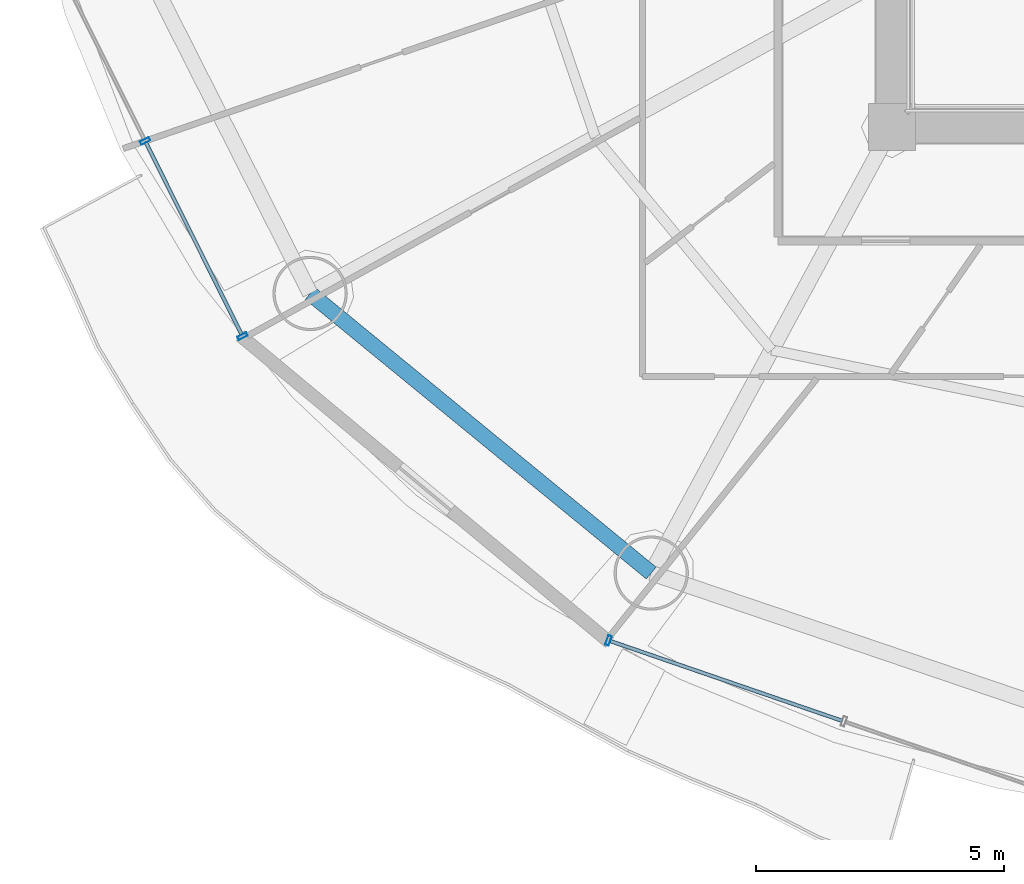
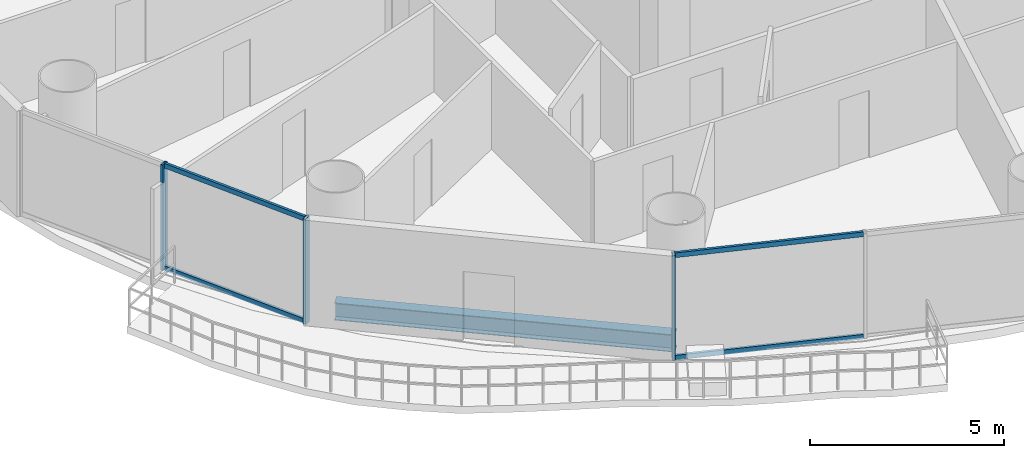
# One storey, part 2 of 29: 7 members, 1 beam, 2 elements without a shape of their own.
"""IFC4 building model written with IfcOpenShell, lengths in metres."""

import ifcopenshell
import ifcopenshell.guid

model = None  # the IFC model being written
_history = None  # IfcOwnerHistory: only IFC2X3 demands one
_inside = {}  # id of a spatial element -> (the spatial element, [elements in it])
_under = {}  # id of a project, library or spatial element -> (it, [spatial elements below it])
_declared = {}  # id of a project -> (the project, [libraries it declares])
_typed = {}  # id of a type object -> (the type object, [elements of that type])
_made_of = {}  # id of a material, layer set ... -> (it, [elements and type objects made of it])


def new_model(schema):
    """Start an empty IFC model of exactly this schema.

    Asked for "IFC4X3", IfcOpenShell would pick the latest addendum, in which some entities
    have other attributes; the version numbers below select the first issue.
    IFC2X3 requires an IfcOwnerHistory on every rooted entity: one is made here for all.
    """
    global model, _history
    if schema == "IFC4X3":
        model = ifcopenshell.file(schema_version=(4, 3, 0, 0))
    else:
        model = ifcopenshell.file(schema=schema)
    _inside.clear()
    _under.clear()
    _declared.clear()
    _typed.clear()
    _made_of.clear()
    _history = None
    if model.schema == "IFC2X3":
        org = make("IfcOrganization", Name="unknown")
        user = make(
            "IfcPersonAndOrganization",
            ThePerson=make("IfcPerson", FamilyName="unknown"),
            TheOrganization=org,
        )
        app = make(
            "IfcApplication",
            ApplicationDeveloper=org,
            Version="unknown",
            ApplicationFullName="unknown",
            ApplicationIdentifier="unknown",
        )
        _history = make(
            "IfcOwnerHistory",
            OwningUser=user,
            OwningApplication=app,
            ChangeAction="ADDED",
            CreationDate=0,
        )
    return model


def make(cls, **values):
    """One entity of the class cls with the attributes given. An attribute that is None is left unset."""
    return model.create_entity(
        cls, **{name: value for name, value in values.items() if value is not None}
    )


def rooted(cls, **values):
    """An entity with a GlobalId (a new one), such as an element, a storey or a relation."""
    return make(cls, GlobalId=ifcopenshell.guid.new(), OwnerHistory=_history, **values)


def si_unit(unit_type, name, prefix=None):
    """IfcSIUnit, for example si_unit("LENGTHUNIT", "METRE", prefix="MILLI")."""
    return make("IfcSIUnit", UnitType=unit_type, Prefix=prefix, Name=name)


def assignment(units):
    """IfcUnitAssignment: the units of a project."""
    return None if units is None else make("IfcUnitAssignment", Units=units)


def point(xyz):
    """IfcCartesianPoint."""
    return None if xyz is None else make("IfcCartesianPoint", Coordinates=xyz)


def direction(xyz):
    """IfcDirection."""
    return None if xyz is None else make("IfcDirection", DirectionRatios=xyz)


def frame(location, z_axis=None, x_axis=None):
    """IfcAxis2Placement3D, a coordinate frame: its origin and axes. An axis left out is left unset."""
    return make(
        "IfcAxis2Placement3D",
        Location=point(location),
        Axis=direction(z_axis),
        RefDirection=direction(x_axis),
    )


def frame_2d(location, x_axis=None):
    """IfcAxis2Placement2D, a coordinate frame in the plane: its origin and x axis."""
    return make(
        "IfcAxis2Placement2D", Location=point(location), RefDirection=direction(x_axis)
    )


def origin():
    """The frame at (0, 0, 0) with its axes left unset."""
    return frame((0.0, 0.0, 0.0))


def origin_2d():
    """The frame at (0, 0) in the plane with its x axis left unset."""
    return frame_2d((0.0, 0.0))


def place(relative_to, where):
    """IfcLocalPlacement: puts the frame where relative to a parent placement (None: the world)."""
    return make(
        "IfcLocalPlacement", PlacementRelTo=relative_to, RelativePlacement=where
    )


def context(
    kind, dimensions, precision=None, world=None, true_north=None, identifier=None
):
    """IfcGeometricRepresentationContext, for example the 3D "Model" context."""
    return make(
        "IfcGeometricRepresentationContext",
        ContextIdentifier=identifier,
        ContextType=kind,
        CoordinateSpaceDimension=dimensions,
        Precision=precision,
        WorldCoordinateSystem=world,
        TrueNorth=true_north,
    )


def subcontext(parent, identifier, kind, view, scale=None):
    """IfcGeometricRepresentationSubContext, for example "Body" below "Model"."""
    return make(
        "IfcGeometricRepresentationSubContext",
        ContextIdentifier=identifier,
        ContextType=kind,
        ParentContext=parent,
        TargetScale=scale,
        TargetView=view,
    )


def project(units=None, contexts=None):
    """IfcProject with its units and contexts."""
    return rooted(
        "IfcProject",
        Name="project",
        RepresentationContexts=contexts,
        UnitsInContext=assignment(units),
    )


def spatial(cls, under=None, at=None, **own):
    """A site, building, storey or space (cls), placed at a placement, below another one or the project."""
    s = rooted(cls, ObjectPlacement=at, **own)
    if under is not None:
        _under.setdefault(under.id(), (under, []))[1].append(s)
    return s


def profile(cls, at=None, kind="AREA", **sizes):
    """A parametric profile (cls). Its sizes go by their IFC names, for example OverallWidth=200.0."""
    return make(cls, ProfileType=kind, Position=at, **sizes)


def hollow_rectangle(**sizes):
    """IfcRectangleHollowProfileDef."""
    return profile("IfcRectangleHollowProfileDef", **sizes)


def i_section(**sizes):
    """IfcIShapeProfileDef."""
    return profile("IfcIShapeProfileDef", **sizes)


def extrude(swept, where, along, depth):
    """IfcExtrudedAreaSolid: the profile swept, set in the frame where, extruded along a direction by depth."""
    return make(
        "IfcExtrudedAreaSolid",
        SweptArea=swept,
        Position=where,
        ExtrudedDirection=direction(along),
        Depth=depth,
    )


def shape(context_of_items, identifier, shape_type, items):
    """IfcShapeRepresentation: the items that make up one representation, for example the "Body"."""
    return make(
        "IfcShapeRepresentation",
        ContextOfItems=context_of_items,
        RepresentationIdentifier=identifier,
        RepresentationType=shape_type,
        Items=items,
    )


def source(mapping_origin, context_of_items, identifier, shape_type, items):
    """IfcRepresentationMap: a shape defined once, which mapped items show again and again."""
    return make(
        "IfcRepresentationMap",
        MappingOrigin=mapping_origin,
        MappedRepresentation=shape(context_of_items, identifier, shape_type, items),
    )


def transform(
    local_origin,
    x_axis=None,
    y_axis=None,
    z_axis=None,
    scale=None,
    scale2=None,
    scale3=None,
    uniform=True,
):
    """IfcCartesianTransformationOperator3D, or its non-uniform kind. x_axis, y_axis, z_axis: its Axis1, 2, 3."""
    if uniform:
        return make(
            "IfcCartesianTransformationOperator3D",
            Axis1=direction(x_axis),
            Axis2=direction(y_axis),
            LocalOrigin=point(local_origin),
            Scale=scale,
            Axis3=direction(z_axis),
        )
    return make(
        "IfcCartesianTransformationOperator3DnonUniform",
        Axis1=direction(x_axis),
        Axis2=direction(y_axis),
        LocalOrigin=point(local_origin),
        Scale=scale,
        Axis3=direction(z_axis),
        Scale2=scale2,
        Scale3=scale3,
    )


def mapped(mapping_source, mapping_target):
    """IfcMappedItem: shows the shape of a source again, moved by a transform."""
    return make(
        "IfcMappedItem", MappingSource=mapping_source, MappingTarget=mapping_target
    )


def material(Name=None, Category=None):
    """IfcMaterial."""
    return make("IfcMaterial", Name=Name, Category=Category)


def material_profile(
    of_material, cross_section, Name=None, Category=None, Priority=None
):
    """IfcMaterialProfile: a cross section and its material."""
    return make(
        "IfcMaterialProfile",
        Name=Name,
        Material=of_material,
        Profile=cross_section,
        Priority=Priority,
        Category=Category,
    )


def profile_set(profiles, Name=None, composite=None):
    """IfcMaterialProfileSet."""
    return make(
        "IfcMaterialProfileSet",
        Name=Name,
        MaterialProfiles=profiles,
        CompositeProfile=composite,
    )


def made_of(thing, what):
    """Note that an element or type object is made of a material, layer set ...; save() writes the relation."""
    if what is not None:
        _made_of.setdefault(what.id(), (what, []))[1].append(thing)
    return thing


def type_object(cls, material=None, **own):
    """A type object (cls), such as IfcWallType, which elements share."""
    return made_of(rooted(cls, **own), material)


def element(
    cls,
    number,
    at=None,
    inside=None,
    cuts=None,
    type_object=None,
    material=None,
    context=None,
    identifier="Body",
    shape_type=None,
    held_by="IfcProductDefinitionShape",
    body=None,
    shapes=None,
    **own,
):
    """One element of the class cls, such as IfcWall. Its Tag is "e" and its number.

    at: its placement. inside: the storey or other place that contains it. cuts: it is an
    opening in that element (IfcRelVoidsElement). A single representation is given by context,
    identifier, shape_type and body (its items); several are given by shapes. held_by: the class
    of the entity that holds the representations. save() writes the other relations.
    """
    e = rooted(cls, Tag="e%d" % number, ObjectPlacement=at, **own)
    if body is not None:
        shapes = [shape(context, identifier, shape_type, body)]
    if shapes is not None:
        e.Representation = make(held_by, Representations=shapes)
    if inside is not None:
        _inside.setdefault(inside.id(), (inside, []))[1].append(e)
    if cuts is not None:
        rooted(
            "IfcRelVoidsElement", RelatingBuildingElement=cuts, RelatedOpeningElement=e
        )
    if type_object is not None:
        _typed.setdefault(type_object.id(), (type_object, []))[1].append(e)
    return made_of(e, material)


def aggregate(whole, parts):
    """IfcRelAggregates: a whole, such as a stair, and the parts it consists of."""
    return rooted("IfcRelAggregates", RelatingObject=whole, RelatedObjects=parts)


def save(model, path):
    """Write the relations noted so far, then the file.

    IfcRelAggregates (storeys below a building ...), IfcRelContainedInSpatialStructure (elements
    in a storey), IfcRelDefinesByType, IfcRelAssociatesMaterial and IfcRelDeclares: one each for
    every whole, place, type object, material and project.
    """
    for whole, parts in _under.values():
        aggregate(whole, parts)
    for where, things in _inside.values():
        rooted(
            "IfcRelContainedInSpatialStructure",
            RelatedElements=things,
            RelatingStructure=where,
        )
    for kind, things in _typed.values():
        rooted("IfcRelDefinesByType", RelatedObjects=things, RelatingType=kind)
    for what, things in _made_of.values():
        rooted("IfcRelAssociatesMaterial", RelatedObjects=things, RelatingMaterial=what)
    for by, libraries in _declared.values():
        rooted("IfcRelDeclares", RelatingContext=by, RelatedDefinitions=libraries)
    model.write(path)


model = new_model("IFC4")

# Units and contexts
model_context = context("Model", 3, precision=1e-05, world=origin(), true_north=direction((-0.2419218956, 0.970295726276)))
body_context = subcontext(model_context, "Body", "Model", "MODEL_VIEW")
ifc_project = project(units=[si_unit("LENGTHUNIT", "METRE"), si_unit("AREAUNIT", "SQUARE_METRE"), si_unit("VOLUMEUNIT", "CUBIC_METRE"), si_unit("PLANEANGLEUNIT", "RADIAN"), si_unit("MASSUNIT", "GRAM", prefix="KILO")], contexts=[model_context])

# Site, building, storey
site_placement = place(None, origin())
site = spatial("IfcSite", under=ifc_project, at=site_placement, CompositionType="ELEMENT")
building_placement = place(site_placement, origin())
building = spatial("IfcBuilding", under=site, at=building_placement, Name="Cobrevalo Terracotta Tower", CompositionType="ELEMENT")
storey_placement = place(building_placement, frame((0.0, 0.0, 97.800048828125)))
storey = spatial("IfcBuildingStorey", under=building, at=storey_placement, Name="L25", CompositionType="ELEMENT", Elevation=97.800048828125)

# Beam
ifc_material_1 = material(Name="Steel S355", Category="steel")
ifc_material_profile_1 = material_profile(ifc_material_1, i_section(OverallWidth=0.31201171875, OverallDepth=0.54296875, WebThickness=0.0126953125, FlangeThickness=0.020263671875, at=origin_2d()), Name="W 530x150")
ifc_profile_set_1 = profile_set([ifc_material_profile_1], Name="Steel S355")
beam_type = type_object("IfcBeamType", Name="Structural Spandrel W 530x150 (Steel S355)", PredefinedType="SPANDREL", material=ifc_profile_set_1)
beam_placement = place(storey_placement, frame((17.2548828125, 15.4384765625, -0.546630859375), z_axis=(0.773400923541, -0.633917196064, 0.0), x_axis=(0.633917196064, 0.773400923541, 0.0)))
element("IfcBeam", 1, at=beam_placement, inside=storey, type_object=beam_type, Name="L25 perimeter ring spandrel 10", PredefinedType="SPANDREL", context=body_context, shape_type="SweptSolid", body=[
    extrude(i_section(OverallWidth=0.31201171875, OverallDepth=0.54296875, WebThickness=0.0126953125, FlangeThickness=0.020263671875, at=origin_2d()), origin(), (0.0, 0.0, 1.0), 8.900390625),
])

# Curtain wall, members
ifc_material_2 = material(Name="Anodized aluminium", Category="aluminium")
curtain_wall_type = type_object("IfcCurtainWallType", Name="Lower-tower unitised acoustic low-E curtain wall CW-U1", PredefinedType="NOTDEFINED", material=ifc_material_2)
curtain_wall_1_placement = place(storey_placement, origin())
curtain_wall_1 = element("IfcCurtainWall", 2, at=curtain_wall_1_placement, inside=storey, type_object=curtain_wall_type, Name="L25 curtain wall CW-L25-S09", PredefinedType="NOTDEFINED")
ifc_material_profile_2 = material_profile(ifc_material_2, hollow_rectangle(XDim=0.074951171875, YDim=0.199951171875, WallThickness=0.0048828125, at=origin_2d()), Name="CWM 75x200")
ifc_profile_set_2 = profile_set([ifc_material_profile_2], Name="Anodized aluminium")
member_type_1 = type_object("IfcMemberType", Name="Lower/mid tower unitised mullion 75x200", PredefinedType="MULLION", material=ifc_profile_set_2)
shared_shape_1 = source(origin(), body_context, "Body", "SweptSolid", [
    extrude(hollow_rectangle(XDim=0.074951171875, YDim=0.199951171875, WallThickness=0.0048828125, at=origin_2d()), origin(), (0.0, 0.0, 1.0), 3.324951171875),
])
member_1_placement = place(storey_placement, frame((13.924072265625, 18.516357421875, 0.0), z_axis=(0.0, 0.0, 1.0), x_axis=(0.446260290227, -0.894903208937, 0.0)))
member_1 = element("IfcMember", 3, at=member_1_placement, type_object=member_type_1, Name="CW-L25-S09 vertical mullion 02", PredefinedType="MULLION", context=body_context, shape_type="MappedRepresentation", body=[
    mapped(shared_shape_1, transform((0.0, 0.0, 0.0), scale=1.0)),
])
member_2_placement = place(storey_placement, frame((15.889892578125, 14.574462890625, 0.0), z_axis=(0.0, 0.0, 1.0), x_axis=(0.446260290227, -0.894903208937, 0.0)))
member_2 = element("IfcMember", 4, at=member_2_placement, type_object=member_type_1, Name="CW-L25-S09 vertical mullion 03", PredefinedType="MULLION", context=body_context, shape_type="MappedRepresentation", body=[
    mapped(shared_shape_1, transform((0.0, 0.0, 0.0), scale=1.0)),
])

curtain_wall_2_placement = place(storey_placement, origin())
curtain_wall_2 = element("IfcCurtainWall", 5, at=curtain_wall_2_placement, inside=storey, type_object=curtain_wall_type, Name="L25 curtain wall CW-L25-S11", PredefinedType="NOTDEFINED")
member_3_placement = place(storey_placement, frame((23.2763671875, 8.4365234375, 0.0), z_axis=(0.0, 0.0, 1.0), x_axis=(0.94559809868, -0.325337110968, 0.0)))
member_3 = element("IfcMember", 6, at=member_3_placement, type_object=member_type_1, Name="CW-L25-S11 vertical mullion 01", PredefinedType="MULLION", context=body_context, shape_type="MappedRepresentation", body=[
    mapped(shared_shape_1, transform((0.0, 0.0, 0.0), scale=1.0)),
])
ifc_material_profile_3 = material_profile(ifc_material_2, hollow_rectangle(XDim=0.074951171875, YDim=0.14990234375, WallThickness=0.00439453125, at=origin_2d()), Name="CWT 75x150")
ifc_profile_set_3 = profile_set([ifc_material_profile_3], Name="Anodized aluminium")
member_type_2 = type_object("IfcMemberType", Name="Tower unitised aluminium transom 75x150", PredefinedType="USERDEFINED", material=ifc_profile_set_3)
shared_shape_2 = source(origin(), body_context, "Body", "SweptSolid", [
    extrude(hollow_rectangle(XDim=0.074951171875, YDim=0.14990234375, WallThickness=0.00439453125, at=origin_2d()), origin(), (0.0, 0.0, 1.0), 4.944580078125),
])
member_4_placement = place(storey_placement, frame((23.314208984375, 8.42333984375, 0.050048828125), z_axis=(0.945597859971, -0.32533780478, 0.0), x_axis=(0.32533780478, 0.945597859971, 0.0)))
member_4 = element("IfcMember", 7, at=member_4_placement, type_object=member_type_2, Name="CW-L25-S11 transom B01-T1", ObjectType="TRANSOM", PredefinedType="USERDEFINED", context=body_context, shape_type="MappedRepresentation", body=[
    mapped(shared_shape_2, transform((0.0, 0.0, 0.0), scale=1.0)),
])
member_5_placement = place(storey_placement, frame((23.314208984375, 8.42333984375, 3.27490234375), z_axis=(0.945597859971, -0.32533780478, 0.0), x_axis=(0.32533780478, 0.945597859971, 0.0)))
member_5 = element("IfcMember", 8, at=member_5_placement, type_object=member_type_2, Name="CW-L25-S11 transom B01-T2", ObjectType="TRANSOM", PredefinedType="USERDEFINED", context=body_context, shape_type="MappedRepresentation", body=[
    mapped(shared_shape_2, transform((0.0, 0.0, 0.0), scale=1.0)),
])
aggregate(curtain_wall_2, [member_3, member_4, member_5])

# Member
shared_shape_3 = source(origin(), body_context, "Body", "SweptSolid", [
    extrude(hollow_rectangle(XDim=0.074951171875, YDim=0.14990234375, WallThickness=0.00439453125, at=origin_2d()), origin(), (0.0, 0.0, 1.0), 4.324951171875),
])
member_6_placement = place(storey_placement, frame((13.942138671875, 18.480712890625, 0.050048828125), z_axis=(0.446219838389, -0.894923379864, 0.0), x_axis=(0.894923379864, 0.446219838389, 0.0)))
member_6 = element("IfcMember", 9, at=member_6_placement, type_object=member_type_2, Name="CW-L25-S09 transom B02-T1", ObjectType="TRANSOM", PredefinedType="USERDEFINED", context=body_context, shape_type="MappedRepresentation", body=[
    mapped(shared_shape_3, transform((0.0, 0.0, 0.0), scale=1.0)),
])

member_7_placement = place(storey_placement, frame((13.942138671875, 18.480712890625, 3.27490234375), z_axis=(0.446219838389, -0.894923379864, 0.0), x_axis=(0.894923379864, 0.446219838389, 0.0)))
member_7 = element("IfcMember", 10, at=member_7_placement, type_object=member_type_2, Name="CW-L25-S09 transom B02-T2", ObjectType="TRANSOM", PredefinedType="USERDEFINED", context=body_context, shape_type="MappedRepresentation", body=[
    mapped(shared_shape_3, transform((0.0, 0.0, 0.0), scale=1.0)),
])

aggregate(curtain_wall_1, [member_1, member_2, member_6, member_7])

save(model, "model.ifc")
